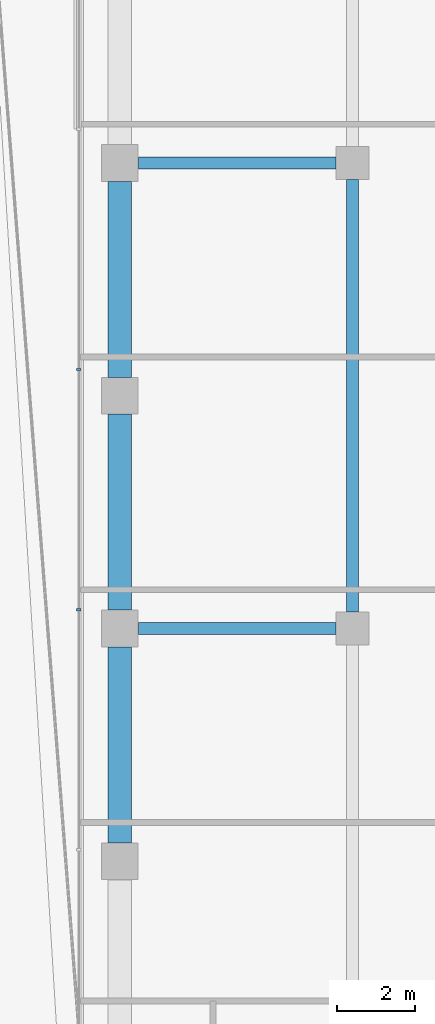
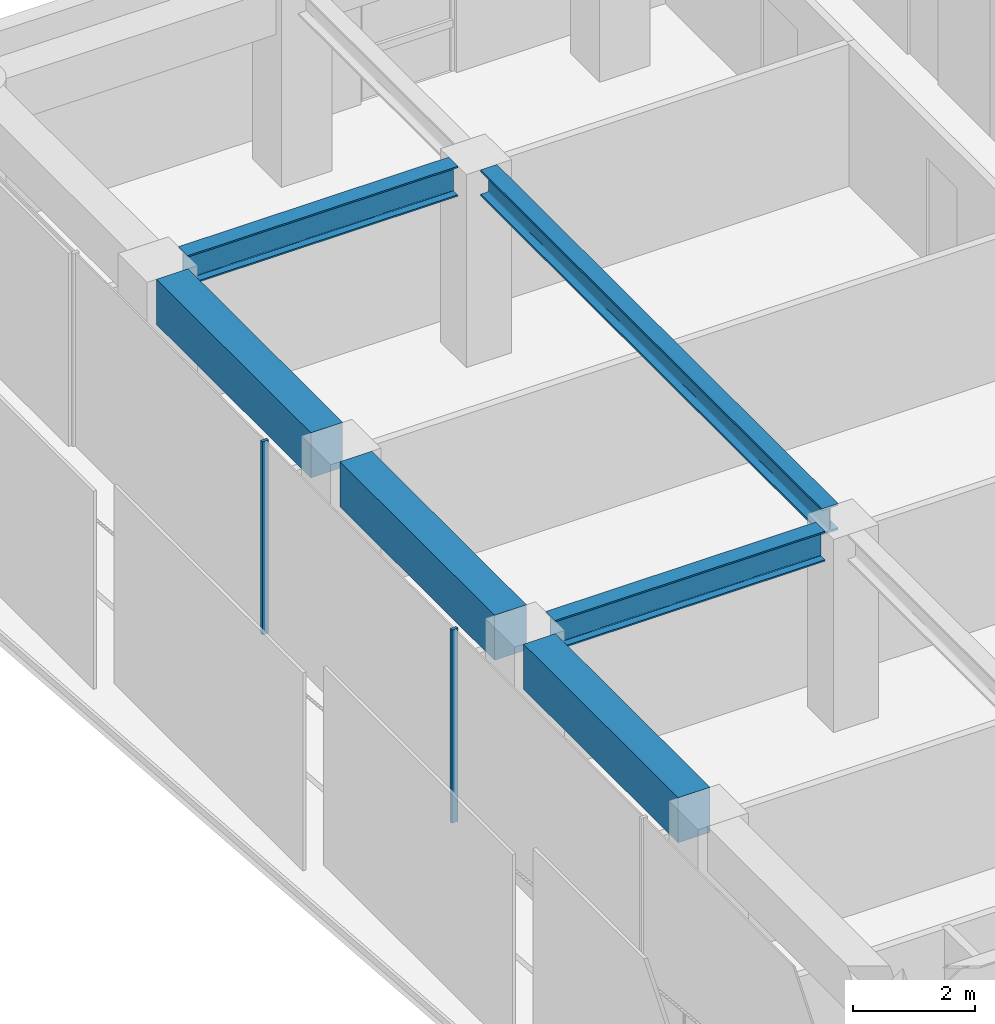
# One storey, part 16 of 29: 6 beams, 2 members, 1 element without a shape of its own.
"""IFC4 building model written with IfcOpenShell, lengths in metres."""

import ifcopenshell
import ifcopenshell.guid

model = None  # the IFC model being written
_history = None  # IfcOwnerHistory: only IFC2X3 demands one
_inside = {}  # id of a spatial element -> (the spatial element, [elements in it])
_under = {}  # id of a project, library or spatial element -> (it, [spatial elements below it])
_declared = {}  # id of a project -> (the project, [libraries it declares])
_typed = {}  # id of a type object -> (the type object, [elements of that type])
_made_of = {}  # id of a material, layer set ... -> (it, [elements and type objects made of it])


def new_model(schema):
    """Start an empty IFC model of exactly this schema.

    Asked for "IFC4X3", IfcOpenShell would pick the latest addendum, in which some entities
    have other attributes; the version numbers below select the first issue.
    IFC2X3 requires an IfcOwnerHistory on every rooted entity: one is made here for all.
    """
    global model, _history
    if schema == "IFC4X3":
        model = ifcopenshell.file(schema_version=(4, 3, 0, 0))
    else:
        model = ifcopenshell.file(schema=schema)
    _inside.clear()
    _under.clear()
    _declared.clear()
    _typed.clear()
    _made_of.clear()
    _history = None
    if model.schema == "IFC2X3":
        org = make("IfcOrganization", Name="unknown")
        user = make(
            "IfcPersonAndOrganization",
            ThePerson=make("IfcPerson", FamilyName="unknown"),
            TheOrganization=org,
        )
        app = make(
            "IfcApplication",
            ApplicationDeveloper=org,
            Version="unknown",
            ApplicationFullName="unknown",
            ApplicationIdentifier="unknown",
        )
        _history = make(
            "IfcOwnerHistory",
            OwningUser=user,
            OwningApplication=app,
            ChangeAction="ADDED",
            CreationDate=0,
        )
    return model


def make(cls, **values):
    """One entity of the class cls with the attributes given. An attribute that is None is left unset."""
    return model.create_entity(
        cls, **{name: value for name, value in values.items() if value is not None}
    )


def rooted(cls, **values):
    """An entity with a GlobalId (a new one), such as an element, a storey or a relation."""
    return make(cls, GlobalId=ifcopenshell.guid.new(), OwnerHistory=_history, **values)


def si_unit(unit_type, name, prefix=None):
    """IfcSIUnit, for example si_unit("LENGTHUNIT", "METRE", prefix="MILLI")."""
    return make("IfcSIUnit", UnitType=unit_type, Prefix=prefix, Name=name)


def assignment(units):
    """IfcUnitAssignment: the units of a project."""
    return None if units is None else make("IfcUnitAssignment", Units=units)


def point(xyz):
    """IfcCartesianPoint."""
    return None if xyz is None else make("IfcCartesianPoint", Coordinates=xyz)


def direction(xyz):
    """IfcDirection."""
    return None if xyz is None else make("IfcDirection", DirectionRatios=xyz)


def frame(location, z_axis=None, x_axis=None):
    """IfcAxis2Placement3D, a coordinate frame: its origin and axes. An axis left out is left unset."""
    return make(
        "IfcAxis2Placement3D",
        Location=point(location),
        Axis=direction(z_axis),
        RefDirection=direction(x_axis),
    )


def frame_2d(location, x_axis=None):
    """IfcAxis2Placement2D, a coordinate frame in the plane: its origin and x axis."""
    return make(
        "IfcAxis2Placement2D", Location=point(location), RefDirection=direction(x_axis)
    )


def origin():
    """The frame at (0, 0, 0) with its axes left unset."""
    return frame((0.0, 0.0, 0.0))


def origin_2d():
    """The frame at (0, 0) in the plane with its x axis left unset."""
    return frame_2d((0.0, 0.0))


def place(relative_to, where):
    """IfcLocalPlacement: puts the frame where relative to a parent placement (None: the world)."""
    return make(
        "IfcLocalPlacement", PlacementRelTo=relative_to, RelativePlacement=where
    )


def context(
    kind, dimensions, precision=None, world=None, true_north=None, identifier=None
):
    """IfcGeometricRepresentationContext, for example the 3D "Model" context."""
    return make(
        "IfcGeometricRepresentationContext",
        ContextIdentifier=identifier,
        ContextType=kind,
        CoordinateSpaceDimension=dimensions,
        Precision=precision,
        WorldCoordinateSystem=world,
        TrueNorth=true_north,
    )


def subcontext(parent, identifier, kind, view, scale=None):
    """IfcGeometricRepresentationSubContext, for example "Body" below "Model"."""
    return make(
        "IfcGeometricRepresentationSubContext",
        ContextIdentifier=identifier,
        ContextType=kind,
        ParentContext=parent,
        TargetScale=scale,
        TargetView=view,
    )


def project(units=None, contexts=None):
    """IfcProject with its units and contexts."""
    return rooted(
        "IfcProject",
        Name="project",
        RepresentationContexts=contexts,
        UnitsInContext=assignment(units),
    )


def spatial(cls, under=None, at=None, **own):
    """A site, building, storey or space (cls), placed at a placement, below another one or the project."""
    s = rooted(cls, ObjectPlacement=at, **own)
    if under is not None:
        _under.setdefault(under.id(), (under, []))[1].append(s)
    return s


def profile(cls, at=None, kind="AREA", **sizes):
    """A parametric profile (cls). Its sizes go by their IFC names, for example OverallWidth=200.0."""
    return make(cls, ProfileType=kind, Position=at, **sizes)


def rectangle(**sizes):
    """IfcRectangleProfileDef."""
    return profile("IfcRectangleProfileDef", **sizes)


def i_section(**sizes):
    """IfcIShapeProfileDef."""
    return profile("IfcIShapeProfileDef", **sizes)


def extrude(swept, where, along, depth):
    """IfcExtrudedAreaSolid: the profile swept, set in the frame where, extruded along a direction by depth."""
    return make(
        "IfcExtrudedAreaSolid",
        SweptArea=swept,
        Position=where,
        ExtrudedDirection=direction(along),
        Depth=depth,
    )


def shape(context_of_items, identifier, shape_type, items):
    """IfcShapeRepresentation: the items that make up one representation, for example the "Body"."""
    return make(
        "IfcShapeRepresentation",
        ContextOfItems=context_of_items,
        RepresentationIdentifier=identifier,
        RepresentationType=shape_type,
        Items=items,
    )


def material(Name=None, Category=None):
    """IfcMaterial."""
    return make("IfcMaterial", Name=Name, Category=Category)


def layer(
    of_material, thickness, ventilated=None, Name=None, Category=None, Priority=None
):
    """IfcMaterialLayer: one layer of a wall or slab, of a material (None: an air gap)."""
    return make(
        "IfcMaterialLayer",
        Material=of_material,
        LayerThickness=thickness,
        IsVentilated=ventilated,
        Name=Name,
        Category=Category,
        Priority=Priority,
    )


def layer_set(layers, Name=None):
    """IfcMaterialLayerSet."""
    return make("IfcMaterialLayerSet", MaterialLayers=layers, LayerSetName=Name)


def material_profile(
    of_material, cross_section, Name=None, Category=None, Priority=None
):
    """IfcMaterialProfile: a cross section and its material."""
    return make(
        "IfcMaterialProfile",
        Name=Name,
        Material=of_material,
        Profile=cross_section,
        Priority=Priority,
        Category=Category,
    )


def profile_set(profiles, Name=None, composite=None):
    """IfcMaterialProfileSet."""
    return make(
        "IfcMaterialProfileSet",
        Name=Name,
        MaterialProfiles=profiles,
        CompositeProfile=composite,
    )


def made_of(thing, what):
    """Note that an element or type object is made of a material, layer set ...; save() writes the relation."""
    if what is not None:
        _made_of.setdefault(what.id(), (what, []))[1].append(thing)
    return thing


def type_object(cls, material=None, **own):
    """A type object (cls), such as IfcWallType, which elements share."""
    return made_of(rooted(cls, **own), material)


def element(
    cls,
    number,
    at=None,
    inside=None,
    cuts=None,
    type_object=None,
    material=None,
    context=None,
    identifier="Body",
    shape_type=None,
    held_by="IfcProductDefinitionShape",
    body=None,
    shapes=None,
    **own,
):
    """One element of the class cls, such as IfcWall. Its Tag is "e" and its number.

    at: its placement. inside: the storey or other place that contains it. cuts: it is an
    opening in that element (IfcRelVoidsElement). A single representation is given by context,
    identifier, shape_type and body (its items); several are given by shapes. held_by: the class
    of the entity that holds the representations. save() writes the other relations.
    """
    e = rooted(cls, Tag="e%d" % number, ObjectPlacement=at, **own)
    if body is not None:
        shapes = [shape(context, identifier, shape_type, body)]
    if shapes is not None:
        e.Representation = make(held_by, Representations=shapes)
    if inside is not None:
        _inside.setdefault(inside.id(), (inside, []))[1].append(e)
    if cuts is not None:
        rooted(
            "IfcRelVoidsElement", RelatingBuildingElement=cuts, RelatedOpeningElement=e
        )
    if type_object is not None:
        _typed.setdefault(type_object.id(), (type_object, []))[1].append(e)
    return made_of(e, material)


def aggregate(whole, parts):
    """IfcRelAggregates: a whole, such as a stair, and the parts it consists of."""
    return rooted("IfcRelAggregates", RelatingObject=whole, RelatedObjects=parts)


def save(model, path):
    """Write the relations noted so far, then the file.

    IfcRelAggregates (storeys below a building ...), IfcRelContainedInSpatialStructure (elements
    in a storey), IfcRelDefinesByType, IfcRelAssociatesMaterial and IfcRelDeclares: one each for
    every whole, place, type object, material and project.
    """
    for whole, parts in _under.values():
        aggregate(whole, parts)
    for where, things in _inside.values():
        rooted(
            "IfcRelContainedInSpatialStructure",
            RelatedElements=things,
            RelatingStructure=where,
        )
    for kind, things in _typed.values():
        rooted("IfcRelDefinesByType", RelatedObjects=things, RelatingType=kind)
    for what, things in _made_of.values():
        rooted("IfcRelAssociatesMaterial", RelatedObjects=things, RelatingMaterial=what)
    for by, libraries in _declared.values():
        rooted("IfcRelDeclares", RelatingContext=by, RelatedDefinitions=libraries)
    model.write(path)


model = new_model("IFC4")

# Units and contexts
model_context = context("Model", 3, precision=1e-05, world=origin(), true_north=direction((0.0, 1.0)))
body_context = subcontext(model_context, "Body", "Model", "MODEL_VIEW")
ifc_project = project(units=[si_unit("LENGTHUNIT", "METRE"), si_unit("AREAUNIT", "SQUARE_METRE"), si_unit("VOLUMEUNIT", "CUBIC_METRE"), si_unit("PLANEANGLEUNIT", "RADIAN"), si_unit("MASSUNIT", "GRAM", prefix="KILO")], contexts=[model_context])

# Site, building, storey
site_placement = place(None, origin())
site = spatial("IfcSite", under=ifc_project, at=site_placement, CompositionType="ELEMENT")
building_placement = place(site_placement, origin())
building = spatial("IfcBuilding", under=site, at=building_placement, Name="Welwitschia Terrace Campus", CompositionType="ELEMENT")
storey_placement = place(building_placement, frame((0.0, 0.0, 66.800048828125)))
storey = spatial("IfcBuildingStorey", under=building, at=storey_placement, Name="L15", CompositionType="ELEMENT", Elevation=66.800048828125)

# Beam
ifc_material_1 = material(Name="Steel S355", Category="steel")
ifc_material_profile_1 = material_profile(ifc_material_1, i_section(OverallWidth=0.305908203125, OverallDepth=0.52392578125, WebThickness=0.02099609375, FlangeThickness=0.0400390625, FilletRadius=0.027099609375, at=origin_2d()))
ifc_profile_set_1 = profile_set([ifc_material_profile_1], Name="Steel S355")
beam_type_1 = type_object("IfcBeamType", Name="Interior girder HE 500 M", PredefinedType="BEAM", material=ifc_profile_set_1)
beam_placement = place(storey_placement, frame((6.0, 44.425537109375, 3.587890625), z_axis=(0.0, 1.0, 0.0), x_axis=(-1.0, 0.0, 0.0)))
element("IfcBeam", 1, at=beam_placement, inside=storey, type_object=beam_type_1, Name="Girder GB2", PredefinedType="BEAM", context=body_context, shape_type="SweptSolid", body=[
    extrude(i_section(OverallWidth=0.305908203125, OverallDepth=0.52392578125, WebThickness=0.02099609375, FlangeThickness=0.0400390625, FilletRadius=0.027099609375, at=origin_2d()), origin(), (0.0, 0.0, 1.0), 11.14892578125),
])

# Curtain wall, members
ifc_material_2 = material(Name="Bronze anodised aluminium", Category="aluminium")
ifc_layer = layer(ifc_material_2, 0.1201171875)
ifc_layer_set = layer_set([ifc_layer], Name="Bronze anodised aluminium")
curtain_wall_type = type_object("IfcCurtainWallType", Name="Curtain wall CW2 tower 6000", PredefinedType="NOTDEFINED", material=ifc_layer_set)
curtain_wall_placement = place(storey_placement, origin())
curtain_wall = element("IfcCurtainWall", 2, at=curtain_wall_placement, inside=storey, type_object=curtain_wall_type, Name="CW L15.12.0", PredefinedType="NOTDEFINED")
ifc_material_3 = material(Name="Bronze anodised aluminium", Category="aluminium")
ifc_material_profile_2 = material_profile(ifc_material_3, rectangle(XDim=0.1201171875, YDim=0.06005859375, at=origin_2d()))
ifc_profile_set_2 = profile_set([ifc_material_profile_2], Name="Bronze anodised aluminium")
member_type = type_object("IfcMemberType", Name="Mullion 60x120", PredefinedType="MULLION", material=ifc_profile_set_2)
member_1_placement = place(storey_placement, frame((-1.05810546875, 50.67626953125, 0.0), z_axis=(0.0, 0.0, 1.0), x_axis=(1.0, 0.0, 0.0)))
member_1 = element("IfcMember", 3, at=member_1_placement, type_object=member_type, Name="Mullion L15.12.0.2", PredefinedType="MULLION", context=body_context, shape_type="SweptSolid", body=[
    extrude(rectangle(XDim=0.1201171875, YDim=0.06005859375, at=origin_2d()), origin(), (0.0, 0.0, 1.0), 3.849853515625),
])
member_2_placement = place(storey_placement, frame((-1.05810546875, 44.4853515625, 0.0), z_axis=(0.0, 0.0, 1.0), x_axis=(1.0, 0.0, 0.0)))
member_2 = element("IfcMember", 4, at=member_2_placement, type_object=member_type, Name="Mullion L15.12.0.3", PredefinedType="MULLION", context=body_context, shape_type="SweptSolid", body=[
    extrude(rectangle(XDim=0.1201171875, YDim=0.06005859375, at=origin_2d()), origin(), (0.0, 0.0, 1.0), 3.849853515625),
])
aggregate(curtain_wall, [member_1, member_2])

# Beams
ifc_material_4 = material(Name="Steel S355", Category="steel")
ifc_material_profile_3 = material_profile(ifc_material_4, i_section(OverallWidth=0.300048828125, OverallDepth=0.60009765625, WebThickness=0.015380859375, FlangeThickness=0.030029296875, FilletRadius=0.027099609375, at=origin_2d()))
ifc_profile_set_3 = profile_set([ifc_material_profile_3], Name="Steel S355")
beam_type_2 = type_object("IfcBeamType", Name="Primary beam HE 600 B", PredefinedType="BEAM", material=ifc_profile_set_3)
for number, where, z_axis, x_axis, name in (
    (5, (0.4755859375, 56.0, 3.550048828125), (1.0, 0.0, 0.0), (0.0, 1.0, 0.0), "Primary beam PB2"),
    (6, (0.4755859375, 44.0, 3.550048828125), (1.0, 0.0, 0.0), (0.0, 1.0, 0.0), "Primary beam PB2"),
):
    element("IfcBeam", number, at=place(storey_placement, frame(where, z_axis=z_axis, x_axis=x_axis)), inside=storey, type_object=beam_type_2, Name=name, PredefinedType="BEAM", context=body_context, shape_type="SweptSolid", body=[
        extrude(i_section(OverallWidth=0.300048828125, OverallDepth=0.60009765625, WebThickness=0.015380859375, FlangeThickness=0.030029296875, FilletRadius=0.027099609375, at=origin_2d()), origin(), (0.0, 0.0, 1.0), 5.098876953125),
    ])
ifc_material_5 = material(Name="Concrete C60/75", Category="concrete")
ifc_material_profile_4 = material_profile(ifc_material_5, rectangle(XDim=0.60009765625, YDim=0.89990234375, at=origin_2d()))
ifc_profile_set_4 = profile_set([ifc_material_profile_4], Name="Concrete C60/75")
beam_type_3 = type_object("IfcBeamType", Name="Ring spandrel 600x900", PredefinedType="SPANDREL", material=ifc_profile_set_4)
for number, where, z_axis, x_axis, name in (
    (7, (0.0, 55.5244140625, 3.39990234375), (0.0, -1.0, 0.0), (1.0, 0.0, 0.0), "Spandrel SP2"),
    (8, (0.0, 49.5244140625, 3.39990234375), (0.0, -1.0, 0.0), (1.0, 0.0, 0.0), "Spandrel SP2"),
    (9, (0.0, 43.5244140625, 3.39990234375), (0.0, -1.0, 0.0), (1.0, 0.0, 0.0), "Spandrel SP2"),
):
    element("IfcBeam", number, at=place(storey_placement, frame(where, z_axis=z_axis, x_axis=x_axis)), inside=storey, type_object=beam_type_3, Name=name, PredefinedType="SPANDREL", context=body_context, shape_type="SweptSolid", body=[
        extrude(rectangle(XDim=0.60009765625, YDim=0.89990234375, at=origin_2d()), origin(), (0.0, 0.0, 1.0), 5.048828125),
    ])

save(model, "model.ifc")
